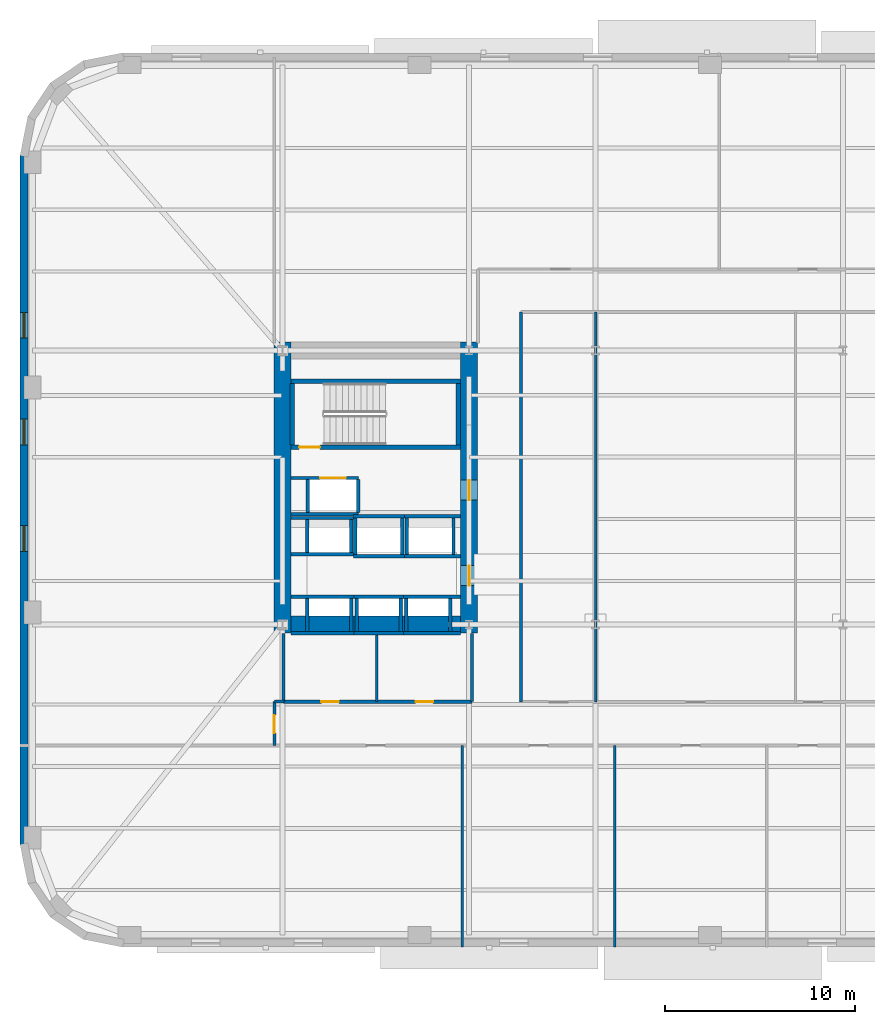
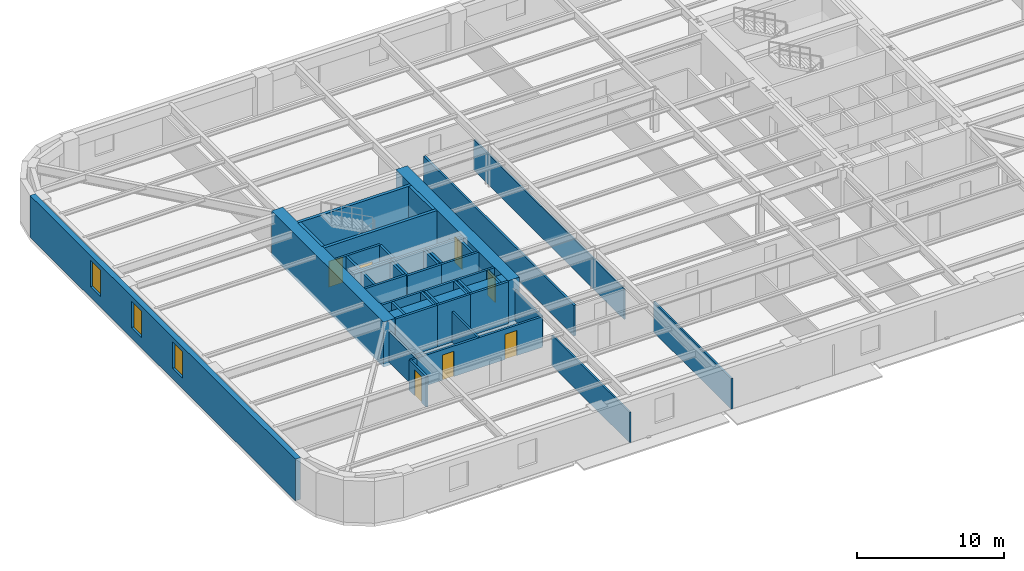
# One storey, part 4 of 14: 46 walls, 7 doors, 3 windows, 10 openings.
"""IFC4 building model written with IfcOpenShell, lengths in metres."""

from ifc_helpers import new_model, si_unit, direction, frame, frame_2d, origin, place, context, subcontext, project, spatial, rectangle, extrude, material, layer, layer_set, type_object, element, fill, save


model = new_model("IFC4")

# Units and contexts
model_context = context("Model", 3, precision=1e-05, world=origin(), true_north=direction((0.0, 1.0)))
body_context = subcontext(model_context, "Body", "Model", "MODEL_VIEW")
ifc_project = project(units=[si_unit("LENGTHUNIT", "METRE"), si_unit("AREAUNIT", "SQUARE_METRE"), si_unit("VOLUMEUNIT", "CUBIC_METRE"), si_unit("PLANEANGLEUNIT", "RADIAN"), si_unit("MASSUNIT", "GRAM", prefix="KILO")], contexts=[model_context])

# Site, building, storey
site_placement = place(None, origin())
site = spatial("IfcSite", under=ifc_project, at=site_placement, CompositionType="ELEMENT")
building_placement = place(site_placement, origin())
building = spatial("IfcBuilding", under=site, at=building_placement, Name="Kolvaren Arena Tower", CompositionType="ELEMENT")
storey_placement = place(building_placement, frame((0.0, 0.0, 57.0)))
storey = spatial("IfcBuildingStorey", under=building, at=storey_placement, Name="L11", CompositionType="ELEMENT", Elevation=57.0)

# Wall
ifc_material_1 = material(Name="Gypsum board acoustic assembly", Category="gypsum")
ifc_layer_1 = layer(ifc_material_1, 0.159912109375)
ifc_layer_set_1 = layer_set([ifc_layer_1], Name="Gypsum board acoustic assembly")
wall_type_1 = type_object("IfcWallType", Name="CORR-160", PredefinedType="PARTITIONING", material=ifc_layer_set_1)
wall_1_placement = place(storey_placement, frame((27.080078125, 15.3798828125, 0.0), z_axis=(0.0, 0.0, 1.0), x_axis=(0.0, 1.0, 0.0)))
element("IfcWall", 1, at=wall_1_placement, inside=storey, type_object=wall_type_1, Name="Interior Partition Wall (L11)", PredefinedType="PARTITIONING", context=body_context, shape_type="SweptSolid", body=[
    extrude(rectangle(XDim=20.5, YDim=0.159912109375, at=frame_2d((10.25, 0.0))), origin(), (0.0, 0.0, 1.0), 2.5400390625),
])

# Wall, opening, door
wall_2_placement = place(storey_placement, frame((14.1201171875, 13.10009765625, 0.0), z_axis=(0.0, 0.0, 1.0), x_axis=(0.0, 1.0, 0.0)))
wall_2 = element("IfcWall", 2, at=wall_2_placement, inside=storey, type_object=wall_type_1, Name="Interior Partition Wall (L11)", PredefinedType="PARTITIONING", context=body_context, shape_type="SweptSolid", body=[
    extrude(rectangle(XDim=2.2998046875, YDim=0.159912109375, at=frame_2d((1.14990234375, 0.0))), origin(), (0.0, 0.0, 1.0), 2.5400390625),
])
opening_1_placement = place(wall_2_placement, frame((0.64990234375, 0.0, 0.0)))
opening_1 = element("IfcOpeningElement", 3, at=opening_1_placement, cuts=wall_2, Name="Opening D05", PredefinedType="OPENING", context=body_context, shape_type="SweptSolid", body=[
    extrude(rectangle(XDim=0.949951171875, YDim=2.14990234375, at=frame_2d((0.47509765625, 1.074951171875))), frame((0.0, 0.08984375, 0.0), z_axis=(0.0, -1.0, 0.0), x_axis=(1.0, 0.0, 0.0)), (0.0, 0.0, 1.0), 0.179931640625),
])
ifc_material_2 = material(Name="Solid-core oak acoustic office door", Category="wood")
door_type_1 = type_object("IfcDoorType", Name="DOOR-OF-095", OperationType="NOTDEFINED", PredefinedType="DOOR", material=ifc_material_2)
door_1_placement = place(opening_1_placement, origin())
door_1 = element("IfcDoor", 4, at=door_1_placement, inside=storey, type_object=door_type_1, Name="West Wing Office Door (L11)", OperationType="SINGLE_SWING_LEFT", OverallHeight=2.14990234375, OverallWidth=0.949951171875, PredefinedType="DOOR", context=body_context, shape_type="SweptSolid", body=[
    extrude(rectangle(XDim=0.949951171875, YDim=2.14990234375, at=frame_2d((0.47509765625, 1.074951171875))), frame((0.0, 0.02490234375, 0.0), z_axis=(0.0, -1.0, 0.0), x_axis=(1.0, 0.0, 0.0)), (0.0, 0.0, 1.0), 0.050048828125),
])
fill(opening_1, door_1)

# Walls
wall_3_placement = place(storey_placement, frame((14.1201171875, 15.39990234375, 0.0), z_axis=(0.0, 0.0, 1.0), x_axis=(1.0, 0.0, 0.0)))
element("IfcWall", 5, at=wall_3_placement, inside=storey, type_object=wall_type_1, Name="Interior Partition Wall (L11)", PredefinedType="PARTITIONING", context=body_context, shape_type="SweptSolid", body=[
    extrude(rectangle(XDim=0.5, YDim=0.159912109375, at=frame_2d((0.25, 0.0))), origin(), (0.0, 0.0, 1.0), 2.5400390625),
])
ifc_material_3 = material(Name="Concrete 80 MPa", Category="concrete")
ifc_layer_2 = layer(ifc_material_3, 0.89990234375)
ifc_layer_set_2 = layer_set([ifc_layer_2], Name="Concrete 80 MPa")
wall_type_2 = type_object("IfcWallType", Name="CWALL-900", PredefinedType="SHEAR", material=ifc_layer_set_2)
wall_4_placement = place(storey_placement, frame((14.550048828125, 19.0, -0.27001953125), z_axis=(0.0, 0.0, 1.0), x_axis=(0.0, 1.0, 0.0)))
element("IfcWall", 6, at=wall_4_placement, inside=storey, type_object=wall_type_2, Name="Core Shear Wall WC-WEST (L11)", PredefinedType="SHEAR", context=body_context, shape_type="SweptSolid", body=[
    extrude(rectangle(XDim=15.300048828125, YDim=0.89990234375, at=frame_2d((7.64990234375, 0.0))), origin(), (0.0, 0.0, 1.0), 3.75),
])

# Wall, openings, doors
wall_5_placement = place(storey_placement, frame((24.35009765625, 19.0, -0.27001953125), z_axis=(0.0, 0.0, 1.0), x_axis=(0.0, 1.0, 0.0)))
wall_5 = element("IfcWall", 7, at=wall_5_placement, inside=storey, type_object=wall_type_2, Name="Core Shear Wall WC-EAST (L11)", PredefinedType="SHEAR", context=body_context, shape_type="SweptSolid", body=[
    extrude(rectangle(XDim=15.300048828125, YDim=0.89990234375, at=frame_2d((7.64990234375, 0.0))), origin(), (0.0, 0.0, 1.0), 3.75),
])
opening_2_placement = place(wall_5_placement, frame((2.5, 0.0, 0.27001953125)))
opening_2 = element("IfcOpeningElement", 8, at=opening_2_placement, cuts=wall_5, Name="Opening D04", PredefinedType="OPENING", context=body_context, shape_type="SweptSolid", body=[
    extrude(rectangle(XDim=1.050048828125, YDim=2.14990234375, at=frame_2d((0.52490234375, 1.074951171875))), frame((0.0, 0.4599609375, 0.0), z_axis=(0.0, -1.0, 0.0), x_axis=(1.0, 0.0, 0.0)), (0.0, 0.0, 1.0), 0.919921875),
])
opening_3_placement = place(wall_5_placement, frame((7.0, 0.0, 0.27001953125)))
opening_3 = element("IfcOpeningElement", 9, at=opening_3_placement, cuts=wall_5, Name="Opening D04", PredefinedType="OPENING", context=body_context, shape_type="SweptSolid", body=[
    extrude(rectangle(XDim=1.050048828125, YDim=2.14990234375, at=frame_2d((0.52490234375, 1.074951171875))), frame((0.0, 0.4599609375, 0.0), z_axis=(0.0, -1.0, 0.0), x_axis=(1.0, 0.0, 0.0)), (0.0, 0.0, 1.0), 0.919921875),
])
ifc_material_4 = material(Name="Fire-rated steel lobby door", Category="steel")
door_type_2 = type_object("IfcDoorType", Name="DOOR-FF-105", OperationType="NOTDEFINED", PredefinedType="DOOR", material=ifc_material_4)
door_2_placement = place(opening_2_placement, origin())
door_2 = element("IfcDoor", 10, at=door_2_placement, inside=storey, type_object=door_type_2, Name="West Lift Lobby Fire Door (L11)", OperationType="SINGLE_SWING_LEFT", OverallHeight=2.14990234375, OverallWidth=1.050048828125, PredefinedType="DOOR", context=body_context, shape_type="SweptSolid", body=[
    extrude(rectangle(XDim=1.050048828125, YDim=2.14990234375, at=frame_2d((0.52490234375, 1.074951171875))), frame((0.0, 0.02490234375, 0.0), z_axis=(0.0, -1.0, 0.0), x_axis=(1.0, 0.0, 0.0)), (0.0, 0.0, 1.0), 0.050048828125),
])
fill(opening_2, door_2)
door_3_placement = place(opening_3_placement, origin())
door_3 = element("IfcDoor", 11, at=door_3_placement, inside=storey, type_object=door_type_2, Name="West Firefighter Vestibule Door (L11)", OperationType="SINGLE_SWING_RIGHT", OverallHeight=2.14990234375, OverallWidth=1.050048828125, PredefinedType="DOOR", context=body_context, shape_type="SweptSolid", body=[
    extrude(rectangle(XDim=1.050048828125, YDim=2.14990234375, at=frame_2d((0.52490234375, 1.074951171875))), frame((0.0, 0.02490234375, 0.0), z_axis=(0.0, -1.0, 0.0), x_axis=(1.0, 0.0, 0.0)), (0.0, 0.0, 1.0), 0.050048828125),
])
fill(opening_3, door_3)

# Wall
wall_6_placement = place(storey_placement, frame((15.0, 19.449951171875, -0.27001953125), z_axis=(0.0, 0.0, 1.0), x_axis=(1.0, 0.0, 0.0)))
element("IfcWall", 12, at=wall_6_placement, inside=storey, type_object=wall_type_2, Name="Core Shear Wall WC-SOUTH (L11)", PredefinedType="SHEAR", context=body_context, shape_type="SweptSolid", body=[
    extrude(rectangle(XDim=8.89990234375, YDim=0.89990234375, at=frame_2d((4.449951171875, 0.0))), origin(), (0.0, 0.0, 1.0), 3.75),
])

# Wall, openings, windows
ifc_material_5 = material(Name="Precast concrete C50/60", Category="concrete")
ifc_layer_3 = layer(ifc_material_5, 0.419921875)
ifc_layer_set_3 = layer_set([ifc_layer_3], Name="Precast concrete C50/60")
wall_type_3 = type_object("IfcWallType", Name="EXT-PIER1", PredefinedType="SOLIDWALL", material=ifc_layer_set_3)
wall_7_placement = place(storey_placement, frame((0.9599609375, 7.89990234375, 0.0), z_axis=(0.0, 0.0, 1.0), x_axis=(0.0, 1.0, 0.0)))
wall_7 = element("IfcWall", 13, at=wall_7_placement, inside=storey, type_object=wall_type_3, Name="Exterior Precast Masonry-Frame Wall (L11)", PredefinedType="SOLIDWALL", context=body_context, shape_type="SweptSolid", body=[
    extrude(rectangle(XDim=36.2001953125, YDim=0.419921875, at=frame_2d((18.10009765625, 0.0))), origin(), (0.0, 0.0, 1.0), 3.47998046875),
])
opening_4_placement = place(wall_7_placement, frame((15.39990234375, 0.0, 0.8798828125)))
opening_4 = element("IfcOpeningElement", 14, at=opening_4_placement, cuts=wall_7, Name="Opening W04", PredefinedType="OPENING", context=body_context, shape_type="SweptSolid", body=[
    extrude(rectangle(XDim=1.35009765625, YDim=2.199951171875, at=frame_2d((0.675048828125, 1.10009765625))), frame((0.0, 0.219970703125, 0.0), z_axis=(0.0, -1.0, 0.0), x_axis=(1.0, 0.0, 0.0)), (0.0, 0.0, 1.0), 0.43994140625),
])
opening_5_placement = place(wall_7_placement, frame((21.0, 0.0, 0.8798828125)))
opening_5 = element("IfcOpeningElement", 15, at=opening_5_placement, cuts=wall_7, Name="Opening W04", PredefinedType="OPENING", context=body_context, shape_type="SweptSolid", body=[
    extrude(rectangle(XDim=1.35009765625, YDim=2.199951171875, at=frame_2d((0.675048828125, 1.10009765625))), frame((0.0, 0.219970703125, 0.0), z_axis=(0.0, -1.0, 0.0), x_axis=(1.0, 0.0, 0.0)), (0.0, 0.0, 1.0), 0.43994140625),
])
opening_6_placement = place(wall_7_placement, frame((26.60009765625, 0.0, 0.8798828125)))
opening_6 = element("IfcOpeningElement", 16, at=opening_6_placement, cuts=wall_7, Name="Opening W04", PredefinedType="OPENING", context=body_context, shape_type="SweptSolid", body=[
    extrude(rectangle(XDim=1.35009765625, YDim=2.199951171875, at=frame_2d((0.675048828125, 1.10009765625))), frame((0.0, 0.219970703125, 0.0), z_axis=(0.0, -1.0, 0.0), x_axis=(1.0, 0.0, 0.0)), (0.0, 0.0, 1.0), 0.43994140625),
])
ifc_material_6 = material(Name="Triple-glazed curved-facet corner window", Category="glass")
window_type = type_object("IfcWindowType", Name="WIN-CRN-A", PartitioningType="SINGLE_PANEL", PredefinedType="WINDOW", material=ifc_material_6)
window_1_placement = place(opening_4_placement, origin())
window_1 = element("IfcWindow", 17, at=window_1_placement, inside=storey, type_object=window_type, Name="End-Wall Punched Window (L11)", OverallHeight=2.199951171875, OverallWidth=1.35009765625, PartitioningType="SINGLE_PANEL", PredefinedType="WINDOW", context=body_context, shape_type="SweptSolid", body=[
    extrude(rectangle(XDim=1.35009765625, YDim=2.199951171875, at=frame_2d((0.675048828125, 1.10009765625))), frame((0.0, 0.030029296875, 0.0), z_axis=(0.0, -1.0, 0.0), x_axis=(1.0, 0.0, 0.0)), (0.0, 0.0, 1.0), 0.06005859375),
])
fill(opening_4, window_1)
window_2_placement = place(opening_5_placement, origin())
window_2 = element("IfcWindow", 18, at=window_2_placement, inside=storey, type_object=window_type, Name="End-Wall Punched Window (L11)", OverallHeight=2.199951171875, OverallWidth=1.35009765625, PartitioningType="SINGLE_PANEL", PredefinedType="WINDOW", context=body_context, shape_type="SweptSolid", body=[
    extrude(rectangle(XDim=1.35009765625, YDim=2.199951171875, at=frame_2d((0.675048828125, 1.10009765625))), frame((0.0, 0.030029296875, 0.0), z_axis=(0.0, -1.0, 0.0), x_axis=(1.0, 0.0, 0.0)), (0.0, 0.0, 1.0), 0.06005859375),
])
fill(opening_5, window_2)
window_3_placement = place(opening_6_placement, origin())
window_3 = element("IfcWindow", 19, at=window_3_placement, inside=storey, type_object=window_type, Name="End-Wall Punched Window (L11)", OverallHeight=2.199951171875, OverallWidth=1.35009765625, PartitioningType="SINGLE_PANEL", PredefinedType="WINDOW", context=body_context, shape_type="SweptSolid", body=[
    extrude(rectangle(XDim=1.35009765625, YDim=2.199951171875, at=frame_2d((0.675048828125, 1.10009765625))), frame((0.0, 0.030029296875, 0.0), z_axis=(0.0, -1.0, 0.0), x_axis=(1.0, 0.0, 0.0)), (0.0, 0.0, 1.0), 0.06005859375),
])
fill(opening_6, window_3)

# Walls
ifc_material_7 = material(Name="Gypsum board partition assembly", Category="gypsum")
ifc_layer_4 = layer(ifc_material_7, 0.114990234375)
ifc_layer_set_4 = layer_set([ifc_layer_4], Name="Gypsum board partition assembly")
wall_type_4 = type_object("IfcWallType", Name="PART-115", PredefinedType="PARTITIONING", material=ifc_layer_set_4)
wall_8_placement = place(storey_placement, frame((31.0, 15.3798828125, 0.0), z_axis=(0.0, 0.0, 1.0), x_axis=(0.0, 1.0, 0.0)))
element("IfcWall", 20, at=wall_8_placement, inside=storey, type_object=wall_type_4, Name="Interior Partition Wall (L11)", PredefinedType="PARTITIONING", context=body_context, shape_type="SweptSolid", body=[
    extrude(rectangle(XDim=20.5, YDim=0.114990234375, at=frame_2d((10.25, 0.0))), origin(), (0.0, 0.0, 1.0), 2.5400390625),
])
ifc_layer_5 = layer(ifc_material_7, 0.135009765625)
ifc_layer_set_5 = layer_set([ifc_layer_5], Name="Gypsum board partition assembly")
wall_type_5 = type_object("IfcWallType", Name="PART-135", PredefinedType="PARTITIONING", material=ifc_layer_set_5)
for number, where, z_axis, x_axis, name in (
    (21, (24.0, 2.5, 0.0), (0.0, 0.0, 1.0), (0.0, 1.0, 0.0), "Interior Partition Wall (L11)"),
    (22, (32.0, 2.5, 0.0), (0.0, 0.0, 1.0), (0.0, 1.0, 0.0), "Interior Partition Wall (L11)"),
):
    element("IfcWall", number, at=place(storey_placement, frame(where, z_axis=z_axis, x_axis=x_axis)), inside=storey, type_object=wall_type_5, Name=name, PredefinedType="PARTITIONING", context=body_context, shape_type="SweptSolid", body=[
        extrude(rectangle(XDim=10.60009765625, YDim=0.135009765625, at=frame_2d((5.300048828125, 0.0))), origin(), (0.0, 0.0, 1.0), 2.5400390625),
    ])

# Wall, opening, door
ifc_material_8 = material(Name="Concrete 45 MPa", Category="concrete")
ifc_layer_6 = layer(ifc_material_8, 0.25)
ifc_layer_set_6 = layer_set([ifc_layer_6], Name="Concrete 45 MPa")
wall_type_6 = type_object("IfcWallType", Name="SHAFT-250", PredefinedType="SOLIDWALL", material=ifc_layer_set_6)
wall_9_placement = place(storey_placement, frame((23.89990234375, 28.780029296875, 0.0), z_axis=(0.0, 0.0, 1.0), x_axis=(-1.0, 0.0, 0.0)))
wall_9 = element("IfcWall", 23, at=wall_9_placement, inside=storey, type_object=wall_type_6, Name="Core Shaft Wall (L11)", PredefinedType="SOLIDWALL", context=body_context, shape_type="SweptSolid", body=[
    extrude(rectangle(XDim=8.89990234375, YDim=0.239990234375, at=frame_2d((4.449951171875, 0.0))), origin(), (0.0, 0.0, 1.0), 3.47998046875),
])
opening_7_placement = place(wall_9_placement, frame((7.3798828125, 0.0, 0.0)))
opening_7 = element("IfcOpeningElement", 24, at=opening_7_placement, cuts=wall_9, Name="Opening D03", PredefinedType="OPENING", context=body_context, shape_type="SweptSolid", body=[
    extrude(rectangle(XDim=1.10009765625, YDim=2.14990234375, at=frame_2d((0.550048828125, 1.074951171875))), frame((0.0, 0.1298828125, 0.0), z_axis=(0.0, -1.0, 0.0), x_axis=(1.0, 0.0, 0.0)), (0.0, 0.0, 1.0), 0.260009765625),
])
ifc_material_9 = material(Name="Fire-rated steel exit stair door", Category="steel")
door_type_3 = type_object("IfcDoorType", Name="DOOR-ST-110", OperationType="NOTDEFINED", PredefinedType="DOOR", material=ifc_material_9)
door_4_placement = place(opening_7_placement, origin())
door_4 = element("IfcDoor", 25, at=door_4_placement, inside=storey, type_object=door_type_3, Name="Stair ST-W1 Fire Door (L11)", OperationType="SINGLE_SWING_RIGHT", OverallHeight=2.14990234375, OverallWidth=1.10009765625, PredefinedType="DOOR", context=body_context, shape_type="SweptSolid", body=[
    extrude(rectangle(XDim=1.10009765625, YDim=2.14990234375, at=frame_2d((0.550048828125, 1.074951171875))), frame((0.0, 0.02490234375, 0.0), z_axis=(0.0, -1.0, 0.0), x_axis=(1.0, 0.0, 0.0)), (0.0, 0.0, 1.0), 0.050048828125),
])
fill(opening_7, door_4)

# Walls
wall_10_placement = place(storey_placement, frame((15.0, 32.25, 0.0), z_axis=(0.0, 0.0, 1.0), x_axis=(1.0, 0.0, 0.0)))
element("IfcWall", 26, at=wall_10_placement, inside=storey, type_object=wall_type_6, Name="Core Shaft Wall (L11)", PredefinedType="SOLIDWALL", context=body_context, shape_type="SweptSolid", body=[
    extrude(rectangle(XDim=8.89990234375, YDim=0.239990234375, at=frame_2d((4.449951171875, 0.0))), origin(), (0.0, 0.0, 1.0), 3.47998046875),
])
for number, where, z_axis, x_axis, name in (
    (27, (15.06005859375, 28.89990234375, 0.0), (0.0, 0.0, 1.0), (0.0, 1.0, 0.0), "Core Shaft Wall (L11)"),
    (28, (23.780029296875, 28.89990234375, 0.0), (0.0, 0.0, 1.0), (0.0, 1.0, 0.0), "Core Shaft Wall (L11)"),
):
    element("IfcWall", number, at=place(storey_placement, frame(where, z_axis=z_axis, x_axis=x_axis)), inside=storey, type_object=wall_type_6, Name=name, PredefinedType="SOLIDWALL", context=body_context, shape_type="SweptSolid", body=[
        extrude(rectangle(XDim=3.22998046875, YDim=0.239990234375, at=frame_2d((1.614990234375, 0.0))), origin(), (0.0, 0.0, 1.0), 3.47998046875),
    ])
for number, where, z_axis, x_axis, name in (
    (29, (15.0, 20.905029296875, 0.0), (0.0, 0.0, 1.0), (1.0, 0.0, 0.0), "Core Shaft Wall (L11)"),
    (30, (15.0, 18.9951171875, 0.0), (0.0, 0.0, 1.0), (1.0, 0.0, 0.0), "Core Shaft Wall (L11)"),
):
    element("IfcWall", number, at=place(storey_placement, frame(where, z_axis=z_axis, x_axis=x_axis)), inside=storey, type_object=wall_type_6, Name=name, PredefinedType="SOLIDWALL", context=body_context, shape_type="SweptSolid", body=[
        extrude(rectangle(XDim=3.300048828125, YDim=0.179931640625, at=frame_2d((1.64990234375, 0.0))), origin(), (0.0, 0.0, 1.0), 3.47998046875),
    ])
for number, where, z_axis, x_axis, name in (
    (31, (15.844970703125, 19.0849609375, 0.0), (0.0, 0.0, 1.0), (0.0, 1.0, 0.0), "Core Shaft Wall (L11)"),
    (32, (18.155029296875, 19.0849609375, 0.0), (0.0, 0.0, 1.0), (0.0, 1.0, 0.0), "Core Shaft Wall (L11)"),
):
    element("IfcWall", number, at=place(storey_placement, frame(where, z_axis=z_axis, x_axis=x_axis)), inside=storey, type_object=wall_type_6, Name=name, PredefinedType="SOLIDWALL", context=body_context, shape_type="SweptSolid", body=[
        extrude(rectangle(XDim=1.72998046875, YDim=0.179931640625, at=frame_2d((0.864990234375, 0.0))), origin(), (0.0, 0.0, 1.0), 3.47998046875),
    ])
for number, where, z_axis, x_axis, name in (
    (33, (18.300048828125, 20.905029296875, 0.0), (0.0, 0.0, 1.0), (1.0, 0.0, 0.0), "Core Shaft Wall (L11)"),
    (34, (18.300048828125, 18.9951171875, 0.0), (0.0, 0.0, 1.0), (1.0, 0.0, 0.0), "Core Shaft Wall (L11)"),
):
    element("IfcWall", number, at=place(storey_placement, frame(where, z_axis=z_axis, x_axis=x_axis)), inside=storey, type_object=wall_type_6, Name=name, PredefinedType="SOLIDWALL", context=body_context, shape_type="SweptSolid", body=[
        extrude(rectangle(XDim=2.599853515625, YDim=0.179931640625, at=frame_2d((1.2998046875, 0.0))), origin(), (0.0, 0.0, 1.0), 3.47998046875),
    ])
for number, where, z_axis, x_axis, name in (
    (35, (18.445068359375, 19.0849609375, 0.0), (0.0, 0.0, 1.0), (0.0, 1.0, 0.0), "Core Shaft Wall (L11)"),
    (36, (20.7548828125, 19.0849609375, 0.0), (0.0, 0.0, 1.0), (0.0, 1.0, 0.0), "Core Shaft Wall (L11)"),
):
    element("IfcWall", number, at=place(storey_placement, frame(where, z_axis=z_axis, x_axis=x_axis)), inside=storey, type_object=wall_type_6, Name=name, PredefinedType="SOLIDWALL", context=body_context, shape_type="SweptSolid", body=[
        extrude(rectangle(XDim=1.72998046875, YDim=0.179931640625, at=frame_2d((0.864990234375, 0.0))), origin(), (0.0, 0.0, 1.0), 3.47998046875),
    ])
for number, where, z_axis, x_axis, name in (
    (37, (20.89990234375, 20.905029296875, 0.0), (0.0, 0.0, 1.0), (1.0, 0.0, 0.0), "Core Shaft Wall (L11)"),
    (38, (20.89990234375, 18.9951171875, 0.0), (0.0, 0.0, 1.0), (1.0, 0.0, 0.0), "Core Shaft Wall (L11)"),
):
    element("IfcWall", number, at=place(storey_placement, frame(where, z_axis=z_axis, x_axis=x_axis)), inside=storey, type_object=wall_type_6, Name=name, PredefinedType="SOLIDWALL", context=body_context, shape_type="SweptSolid", body=[
        extrude(rectangle(XDim=3.0, YDim=0.179931640625, at=frame_2d((1.5, 0.0))), origin(), (0.0, 0.0, 1.0), 3.47998046875),
    ])
for number, where, z_axis, x_axis, name in (
    (39, (21.044921875, 19.0849609375, 0.0), (0.0, 0.0, 1.0), (0.0, 1.0, 0.0), "Core Shaft Wall (L11)"),
    (40, (23.35498046875, 19.0849609375, 0.0), (0.0, 0.0, 1.0), (0.0, 1.0, 0.0), "Core Shaft Wall (L11)"),
):
    element("IfcWall", number, at=place(storey_placement, frame(where, z_axis=z_axis, x_axis=x_axis)), inside=storey, type_object=wall_type_6, Name=name, PredefinedType="SOLIDWALL", context=body_context, shape_type="SweptSolid", body=[
        extrude(rectangle(XDim=1.72998046875, YDim=0.179931640625, at=frame_2d((0.864990234375, 0.0))), origin(), (0.0, 0.0, 1.0), 3.47998046875),
    ])
for number, where, z_axis, x_axis, name in (
    (41, (15.0, 25.054931640625, 0.0), (0.0, 0.0, 1.0), (1.0, 0.0, 0.0), "Core Shaft Wall (L11)"),
    (42, (15.0, 23.14501953125, 0.0), (0.0, 0.0, 1.0), (1.0, 0.0, 0.0), "Core Shaft Wall (L11)"),
):
    element("IfcWall", number, at=place(storey_placement, frame(where, z_axis=z_axis, x_axis=x_axis)), inside=storey, type_object=wall_type_6, Name=name, PredefinedType="SOLIDWALL", context=body_context, shape_type="SweptSolid", body=[
        extrude(rectangle(XDim=3.262451171875, YDim=0.179931640625, at=frame_2d((1.63134765625, 0.0))), origin(), (0.0, 0.0, 1.0), 3.47998046875),
    ])
for number, where, z_axis, x_axis, name in (
    (43, (15.844970703125, 23.235107421875, 0.0), (0.0, 0.0, 1.0), (0.0, 1.0, 0.0), "Core Shaft Wall (L11)"),
    (44, (18.155029296875, 23.235107421875, 0.0), (0.0, 0.0, 1.0), (0.0, 1.0, 0.0), "Core Shaft Wall (L11)"),
):
    element("IfcWall", number, at=place(storey_placement, frame(where, z_axis=z_axis, x_axis=x_axis)), inside=storey, type_object=wall_type_6, Name=name, PredefinedType="SOLIDWALL", context=body_context, shape_type="SweptSolid", body=[
        extrude(rectangle(XDim=1.72998046875, YDim=0.179931640625, at=frame_2d((0.864990234375, 0.0))), origin(), (0.0, 0.0, 1.0), 3.47998046875),
    ])
for number, where, z_axis, x_axis, name in (
    (45, (18.262451171875, 25.155029296875, 0.0), (0.0, 0.0, 1.0), (1.0, 0.0, 0.0), "Core Shaft Wall (L11)"),
    (46, (18.262451171875, 23.044921875, 0.0), (0.0, 0.0, 1.0), (1.0, 0.0, 0.0), "Core Shaft Wall (L11)"),
):
    element("IfcWall", number, at=place(storey_placement, frame(where, z_axis=z_axis, x_axis=x_axis)), inside=storey, type_object=wall_type_6, Name=name, PredefinedType="SOLIDWALL", context=body_context, shape_type="SweptSolid", body=[
        extrude(rectangle(XDim=2.6875, YDim=0.179931640625, at=frame_2d((1.34375, 0.0))), origin(), (0.0, 0.0, 1.0), 3.47998046875),
    ])
for number, where, z_axis, x_axis, name in (
    (47, (18.3701171875, 23.135009765625, 0.0), (0.0, 0.0, 1.0), (0.0, 1.0, 0.0), "Core Shaft Wall (L11)"),
    (48, (20.830078125, 23.135009765625, 0.0), (0.0, 0.0, 1.0), (0.0, 1.0, 0.0), "Core Shaft Wall (L11)"),
):
    element("IfcWall", number, at=place(storey_placement, frame(where, z_axis=z_axis, x_axis=x_axis)), inside=storey, type_object=wall_type_6, Name=name, PredefinedType="SOLIDWALL", context=body_context, shape_type="SweptSolid", body=[
        extrude(rectangle(XDim=1.929931640625, YDim=0.179931640625, at=frame_2d((0.96484375, 0.0))), origin(), (0.0, 0.0, 1.0), 3.47998046875),
    ])
for number, where, z_axis, x_axis, name in (
    (49, (20.949951171875, 25.155029296875, 0.0), (0.0, 0.0, 1.0), (1.0, 0.0, 0.0), "Core Shaft Wall (L11)"),
    (50, (20.949951171875, 23.044921875, 0.0), (0.0, 0.0, 1.0), (1.0, 0.0, 0.0), "Core Shaft Wall (L11)"),
):
    element("IfcWall", number, at=place(storey_placement, frame(where, z_axis=z_axis, x_axis=x_axis)), inside=storey, type_object=wall_type_6, Name=name, PredefinedType="SOLIDWALL", context=body_context, shape_type="SweptSolid", body=[
        extrude(rectangle(XDim=2.949951171875, YDim=0.179931640625, at=frame_2d((1.47509765625, 0.0))), origin(), (0.0, 0.0, 1.0), 3.47998046875),
    ])
for number, where, z_axis, x_axis, name in (
    (51, (21.070068359375, 23.135009765625, 0.0), (0.0, 0.0, 1.0), (0.0, 1.0, 0.0), "Core Shaft Wall (L11)"),
    (52, (23.530029296875, 23.135009765625, 0.0), (0.0, 0.0, 1.0), (0.0, 1.0, 0.0), "Core Shaft Wall (L11)"),
):
    element("IfcWall", number, at=place(storey_placement, frame(where, z_axis=z_axis, x_axis=x_axis)), inside=storey, type_object=wall_type_6, Name=name, PredefinedType="SOLIDWALL", context=body_context, shape_type="SweptSolid", body=[
        extrude(rectangle(XDim=1.929931640625, YDim=0.179931640625, at=frame_2d((0.96484375, 0.0))), origin(), (0.0, 0.0, 1.0), 3.47998046875),
    ])

# Wall, opening, door
wall_11_placement = place(storey_placement, frame((15.0, 27.155029296875, 0.0), z_axis=(0.0, 0.0, 1.0), x_axis=(1.0, 0.0, 0.0)))
wall_11 = element("IfcWall", 53, at=wall_11_placement, inside=storey, type_object=wall_type_6, Name="Core Shaft Wall (L11)", PredefinedType="SOLIDWALL", context=body_context, shape_type="SweptSolid", body=[
    extrude(rectangle(XDim=3.530029296875, YDim=0.179931640625, at=frame_2d((1.76513671875, 0.0))), origin(), (0.0, 0.0, 1.0), 3.47998046875),
])
opening_8_placement = place(wall_11_placement, frame((1.52490234375, 0.0, 0.0)))
opening_8 = element("IfcOpeningElement", 54, at=opening_8_placement, cuts=wall_11, Name="Opening LD2", PredefinedType="OPENING", context=body_context, shape_type="SweptSolid", body=[
    extrude(rectangle(XDim=1.35009765625, YDim=2.300048828125, at=frame_2d((0.675048828125, 1.14990234375))), frame((0.0, 0.099853515625, 0.0), z_axis=(0.0, -1.0, 0.0), x_axis=(1.0, 0.0, 0.0)), (0.0, 0.0, 1.0), 0.199951171875),
])
ifc_material_10 = material(Name="Stainless steel firefighter lift landing door", Category="steel")
door_type_4 = type_object("IfcDoorType", Name="DOOR-LD-135", OperationType="DOUBLE_DOOR_SLIDING", PredefinedType="DOOR", material=ifc_material_10)
door_5_placement = place(opening_8_placement, origin())
door_5 = element("IfcDoor", 55, at=door_5_placement, inside=storey, type_object=door_type_4, Name="Firefighter Lift FF-W1 Landing Door (L11)", OperationType="DOUBLE_DOOR_SLIDING", OverallHeight=2.300048828125, OverallWidth=1.35009765625, PredefinedType="DOOR", context=body_context, shape_type="SweptSolid", body=[
    extrude(rectangle(XDim=1.35009765625, YDim=2.300048828125, at=frame_2d((0.675048828125, 1.14990234375))), frame((0.0, 0.02490234375, 0.0), z_axis=(0.0, -1.0, 0.0), x_axis=(1.0, 0.0, 0.0)), (0.0, 0.0, 1.0), 0.050048828125),
])
fill(opening_8, door_5)

# Walls
wall_12_placement = place(storey_placement, frame((15.0, 25.2451171875, 0.0), z_axis=(0.0, 0.0, 1.0), x_axis=(1.0, 0.0, 0.0)))
element("IfcWall", 56, at=wall_12_placement, inside=storey, type_object=wall_type_6, Name="Core Shaft Wall (L11)", PredefinedType="SOLIDWALL", context=body_context, shape_type="SweptSolid", body=[
    extrude(rectangle(XDim=3.530029296875, YDim=0.179931640625, at=frame_2d((1.76513671875, 0.0))), origin(), (0.0, 0.0, 1.0), 3.47998046875),
])
for number, where, z_axis, x_axis, name in (
    (57, (15.8701171875, 25.3349609375, 0.0), (0.0, 0.0, 1.0), (0.0, 1.0, 0.0), "Core Shaft Wall (L11)"),
    (58, (18.530029296875, 25.3349609375, 0.0), (0.0, 0.0, 1.0), (0.0, 1.0, 0.0), "Core Shaft Wall (L11)"),
):
    element("IfcWall", number, at=place(storey_placement, frame(where, z_axis=z_axis, x_axis=x_axis)), inside=storey, type_object=wall_type_6, Name=name, PredefinedType="SOLIDWALL", context=body_context, shape_type="SweptSolid", body=[
        extrude(rectangle(XDim=1.72998046875, YDim=0.179931640625, at=frame_2d((0.864990234375, 0.0))), origin(), (0.0, 0.0, 1.0), 3.47998046875),
    ])
ifc_material_11 = material(Name="Moisture-resistant gypsum assembly", Category="gypsum")
ifc_layer_7 = layer(ifc_material_11, 0.14990234375)
ifc_layer_set_7 = layer_set([ifc_layer_7], Name="Moisture-resistant gypsum assembly")
wall_type_7 = type_object("IfcWallType", Name="WETW-150", PredefinedType="PARTITIONING", material=ifc_layer_set_7)
wall_13_placement = place(storey_placement, frame((19.5, 15.39990234375, 0.0), z_axis=(0.0, 0.0, 1.0), x_axis=(0.0, 1.0, 0.0)))
element("IfcWall", 59, at=wall_13_placement, inside=storey, type_object=wall_type_7, Name="Interior Partition Wall (L11)", PredefinedType="PARTITIONING", context=body_context, shape_type="SweptSolid", body=[
    extrude(rectangle(XDim=3.580078125, YDim=0.14990234375, at=frame_2d((1.7900390625, 0.0))), origin(), (0.0, 0.0, 1.0), 2.5400390625),
])

# Wall, openings, doors
wall_14_placement = place(storey_placement, frame((14.60009765625, 15.39990234375, 0.0), z_axis=(0.0, 0.0, 1.0), x_axis=(1.0, 0.0, 0.0)))
wall_14 = element("IfcWall", 60, at=wall_14_placement, inside=storey, type_object=wall_type_7, Name="Interior Partition Wall (L11)", PredefinedType="PARTITIONING", context=body_context, shape_type="SweptSolid", body=[
    extrude(rectangle(XDim=9.89990234375, YDim=0.179931640625, at=frame_2d((4.949951171875, 0.0))), origin(), (0.0, 0.0, 1.0), 2.5400390625),
])
opening_9_placement = place(wall_14_placement, frame((1.989990234375, 0.0, 0.0)))
opening_9 = element("IfcOpeningElement", 61, at=opening_9_placement, cuts=wall_14, Name="Opening D07", PredefinedType="OPENING", context=body_context, shape_type="SweptSolid", body=[
    extrude(rectangle(XDim=0.919921875, YDim=2.10009765625, at=frame_2d((0.4599609375, 1.050048828125))), frame((0.0, 0.099853515625, 0.0), z_axis=(0.0, -1.0, 0.0), x_axis=(1.0, 0.0, 0.0)), (0.0, 0.0, 1.0), 0.199951171875),
])
opening_10_placement = place(wall_14_placement, frame((6.93994140625, 0.0, 0.0)))
opening_10 = element("IfcOpeningElement", 62, at=opening_10_placement, cuts=wall_14, Name="Opening D07", PredefinedType="OPENING", context=body_context, shape_type="SweptSolid", body=[
    extrude(rectangle(XDim=0.919921875, YDim=2.10009765625, at=frame_2d((0.4599609375, 1.050048828125))), frame((0.0, 0.099853515625, 0.0), z_axis=(0.0, -1.0, 0.0), x_axis=(1.0, 0.0, 0.0)), (0.0, 0.0, 1.0), 0.199951171875),
])
ifc_material_12 = material(Name="Laminate universal washroom door", Category="wood")
door_type_5 = type_object("IfcDoorType", Name="DOOR-WC-092", OperationType="NOTDEFINED", PredefinedType="DOOR", material=ifc_material_12)
door_6_placement = place(opening_9_placement, origin())
door_6 = element("IfcDoor", 63, at=door_6_placement, inside=storey, type_object=door_type_5, Name="Universal Barrier-Free Washroom Door (L11)", OperationType="SINGLE_SWING_LEFT", OverallHeight=2.10009765625, OverallWidth=0.919921875, PredefinedType="DOOR", context=body_context, shape_type="SweptSolid", body=[
    extrude(rectangle(XDim=0.919921875, YDim=2.10009765625, at=frame_2d((0.4599609375, 1.050048828125))), frame((0.0, 0.02490234375, 0.0), z_axis=(0.0, -1.0, 0.0), x_axis=(1.0, 0.0, 0.0)), (0.0, 0.0, 1.0), 0.050048828125),
])
fill(opening_9, door_6)
door_7_placement = place(opening_10_placement, origin())
door_7 = element("IfcDoor", 64, at=door_7_placement, inside=storey, type_object=door_type_5, Name="Gender-Neutral Washroom Door (L11)", OperationType="SINGLE_SWING_RIGHT", OverallHeight=2.10009765625, OverallWidth=0.919921875, PredefinedType="DOOR", context=body_context, shape_type="SweptSolid", body=[
    extrude(rectangle(XDim=0.919921875, YDim=2.10009765625, at=frame_2d((0.4599609375, 1.050048828125))), frame((0.0, 0.02490234375, 0.0), z_axis=(0.0, -1.0, 0.0), x_axis=(1.0, 0.0, 0.0)), (0.0, 0.0, 1.0), 0.050048828125),
])
fill(opening_10, door_7)

# Walls
for number, where, z_axis, x_axis, name in (
    (65, (14.60009765625, 15.39990234375, 0.0), (0.0, 0.0, 1.0), (0.0, 1.0, 0.0), "Interior Partition Wall (L11)"),
    (66, (24.5, 15.39990234375, 0.0), (0.0, 0.0, 1.0), (0.0, 1.0, 0.0), "Interior Partition Wall (L11)"),
):
    element("IfcWall", number, at=place(storey_placement, frame(where, z_axis=z_axis, x_axis=x_axis)), inside=storey, type_object=wall_type_7, Name=name, PredefinedType="PARTITIONING", context=body_context, shape_type="SweptSolid", body=[
        extrude(rectangle(XDim=3.580078125, YDim=0.14990234375, at=frame_2d((1.7900390625, 0.0))), origin(), (0.0, 0.0, 1.0), 2.5400390625),
    ])

save(model, "model.ifc")
